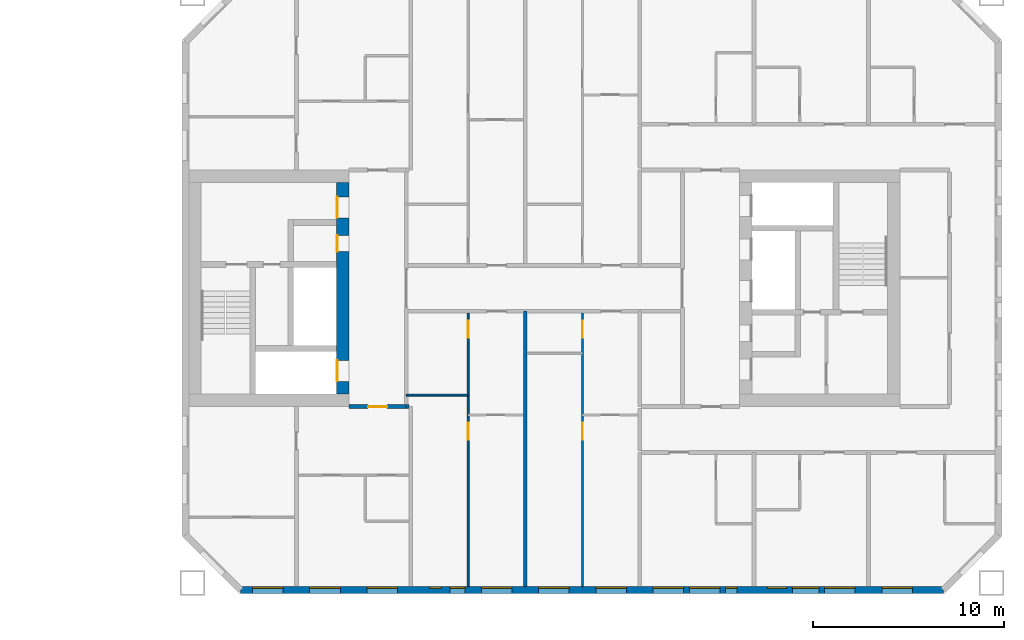
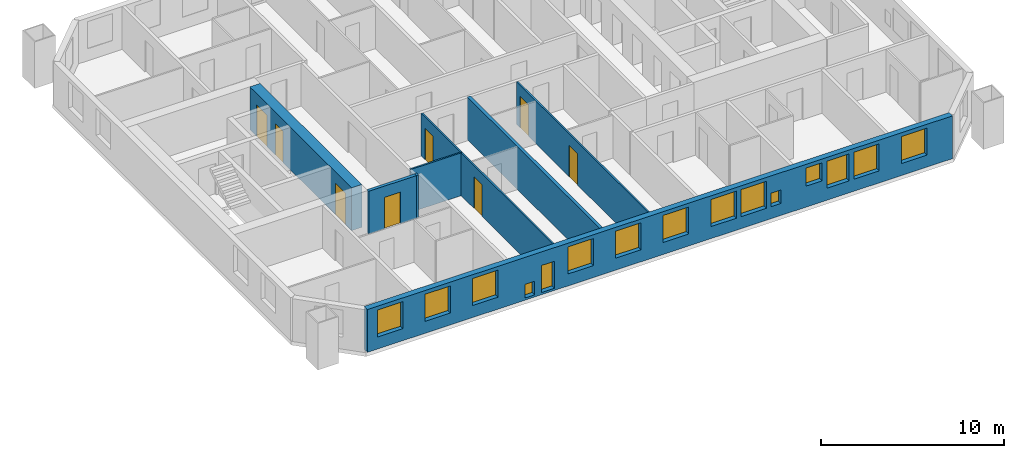
# One storey, part 10 of 17: 15 windows, 8 doors, 8 walls, 23 openings.
"""IFC4 building model written with IfcOpenShell, lengths in metres."""

import ifcopenshell
import ifcopenshell.guid

model = None  # the IFC model being written
_history = None  # IfcOwnerHistory: only IFC2X3 demands one
_inside = {}  # id of a spatial element -> (the spatial element, [elements in it])
_under = {}  # id of a project, library or spatial element -> (it, [spatial elements below it])
_declared = {}  # id of a project -> (the project, [libraries it declares])
_typed = {}  # id of a type object -> (the type object, [elements of that type])
_made_of = {}  # id of a material, layer set ... -> (it, [elements and type objects made of it])


def new_model(schema):
    """Start an empty IFC model of exactly this schema.

    Asked for "IFC4X3", IfcOpenShell would pick the latest addendum, in which some entities
    have other attributes; the version numbers below select the first issue.
    IFC2X3 requires an IfcOwnerHistory on every rooted entity: one is made here for all.
    """
    global model, _history
    if schema == "IFC4X3":
        model = ifcopenshell.file(schema_version=(4, 3, 0, 0))
    else:
        model = ifcopenshell.file(schema=schema)
    _inside.clear()
    _under.clear()
    _declared.clear()
    _typed.clear()
    _made_of.clear()
    _history = None
    if model.schema == "IFC2X3":
        org = make("IfcOrganization", Name="unknown")
        user = make(
            "IfcPersonAndOrganization",
            ThePerson=make("IfcPerson", FamilyName="unknown"),
            TheOrganization=org,
        )
        app = make(
            "IfcApplication",
            ApplicationDeveloper=org,
            Version="unknown",
            ApplicationFullName="unknown",
            ApplicationIdentifier="unknown",
        )
        _history = make(
            "IfcOwnerHistory",
            OwningUser=user,
            OwningApplication=app,
            ChangeAction="ADDED",
            CreationDate=0,
        )
    return model


def make(cls, **values):
    """One entity of the class cls with the attributes given. An attribute that is None is left unset."""
    return model.create_entity(
        cls, **{name: value for name, value in values.items() if value is not None}
    )


def rooted(cls, **values):
    """An entity with a GlobalId (a new one), such as an element, a storey or a relation."""
    return make(cls, GlobalId=ifcopenshell.guid.new(), OwnerHistory=_history, **values)


def si_unit(unit_type, name, prefix=None):
    """IfcSIUnit, for example si_unit("LENGTHUNIT", "METRE", prefix="MILLI")."""
    return make("IfcSIUnit", UnitType=unit_type, Prefix=prefix, Name=name)


def assignment(units):
    """IfcUnitAssignment: the units of a project."""
    return None if units is None else make("IfcUnitAssignment", Units=units)


def point(xyz):
    """IfcCartesianPoint."""
    return None if xyz is None else make("IfcCartesianPoint", Coordinates=xyz)


def direction(xyz):
    """IfcDirection."""
    return None if xyz is None else make("IfcDirection", DirectionRatios=xyz)


def frame(location, z_axis=None, x_axis=None):
    """IfcAxis2Placement3D, a coordinate frame: its origin and axes. An axis left out is left unset."""
    return make(
        "IfcAxis2Placement3D",
        Location=point(location),
        Axis=direction(z_axis),
        RefDirection=direction(x_axis),
    )


def frame_2d(location, x_axis=None):
    """IfcAxis2Placement2D, a coordinate frame in the plane: its origin and x axis."""
    return make(
        "IfcAxis2Placement2D", Location=point(location), RefDirection=direction(x_axis)
    )


def origin():
    """The frame at (0, 0, 0) with its axes left unset."""
    return frame((0.0, 0.0, 0.0))


def place(relative_to, where):
    """IfcLocalPlacement: puts the frame where relative to a parent placement (None: the world)."""
    return make(
        "IfcLocalPlacement", PlacementRelTo=relative_to, RelativePlacement=where
    )


def context(
    kind, dimensions, precision=None, world=None, true_north=None, identifier=None
):
    """IfcGeometricRepresentationContext, for example the 3D "Model" context."""
    return make(
        "IfcGeometricRepresentationContext",
        ContextIdentifier=identifier,
        ContextType=kind,
        CoordinateSpaceDimension=dimensions,
        Precision=precision,
        WorldCoordinateSystem=world,
        TrueNorth=true_north,
    )


def subcontext(parent, identifier, kind, view, scale=None):
    """IfcGeometricRepresentationSubContext, for example "Body" below "Model"."""
    return make(
        "IfcGeometricRepresentationSubContext",
        ContextIdentifier=identifier,
        ContextType=kind,
        ParentContext=parent,
        TargetScale=scale,
        TargetView=view,
    )


def project(units=None, contexts=None):
    """IfcProject with its units and contexts."""
    return rooted(
        "IfcProject",
        Name="project",
        RepresentationContexts=contexts,
        UnitsInContext=assignment(units),
    )


def spatial(cls, under=None, at=None, **own):
    """A site, building, storey or space (cls), placed at a placement, below another one or the project."""
    s = rooted(cls, ObjectPlacement=at, **own)
    if under is not None:
        _under.setdefault(under.id(), (under, []))[1].append(s)
    return s


def profile(cls, at=None, kind="AREA", **sizes):
    """A parametric profile (cls). Its sizes go by their IFC names, for example OverallWidth=200.0."""
    return make(cls, ProfileType=kind, Position=at, **sizes)


def rectangle(**sizes):
    """IfcRectangleProfileDef."""
    return profile("IfcRectangleProfileDef", **sizes)


def extrude(swept, where, along, depth):
    """IfcExtrudedAreaSolid: the profile swept, set in the frame where, extruded along a direction by depth."""
    return make(
        "IfcExtrudedAreaSolid",
        SweptArea=swept,
        Position=where,
        ExtrudedDirection=direction(along),
        Depth=depth,
    )


def shape(context_of_items, identifier, shape_type, items):
    """IfcShapeRepresentation: the items that make up one representation, for example the "Body"."""
    return make(
        "IfcShapeRepresentation",
        ContextOfItems=context_of_items,
        RepresentationIdentifier=identifier,
        RepresentationType=shape_type,
        Items=items,
    )


def material(Name=None, Category=None):
    """IfcMaterial."""
    return make("IfcMaterial", Name=Name, Category=Category)


def layer(
    of_material, thickness, ventilated=None, Name=None, Category=None, Priority=None
):
    """IfcMaterialLayer: one layer of a wall or slab, of a material (None: an air gap)."""
    return make(
        "IfcMaterialLayer",
        Material=of_material,
        LayerThickness=thickness,
        IsVentilated=ventilated,
        Name=Name,
        Category=Category,
        Priority=Priority,
    )


def layer_set(layers, Name=None):
    """IfcMaterialLayerSet."""
    return make("IfcMaterialLayerSet", MaterialLayers=layers, LayerSetName=Name)


def made_of(thing, what):
    """Note that an element or type object is made of a material, layer set ...; save() writes the relation."""
    if what is not None:
        _made_of.setdefault(what.id(), (what, []))[1].append(thing)
    return thing


def type_object(cls, material=None, **own):
    """A type object (cls), such as IfcWallType, which elements share."""
    return made_of(rooted(cls, **own), material)


def element(
    cls,
    number,
    at=None,
    inside=None,
    cuts=None,
    type_object=None,
    material=None,
    context=None,
    identifier="Body",
    shape_type=None,
    held_by="IfcProductDefinitionShape",
    body=None,
    shapes=None,
    **own,
):
    """One element of the class cls, such as IfcWall. Its Tag is "e" and its number.

    at: its placement. inside: the storey or other place that contains it. cuts: it is an
    opening in that element (IfcRelVoidsElement). A single representation is given by context,
    identifier, shape_type and body (its items); several are given by shapes. held_by: the class
    of the entity that holds the representations. save() writes the other relations.
    """
    e = rooted(cls, Tag="e%d" % number, ObjectPlacement=at, **own)
    if body is not None:
        shapes = [shape(context, identifier, shape_type, body)]
    if shapes is not None:
        e.Representation = make(held_by, Representations=shapes)
    if inside is not None:
        _inside.setdefault(inside.id(), (inside, []))[1].append(e)
    if cuts is not None:
        rooted(
            "IfcRelVoidsElement", RelatingBuildingElement=cuts, RelatedOpeningElement=e
        )
    if type_object is not None:
        _typed.setdefault(type_object.id(), (type_object, []))[1].append(e)
    return made_of(e, material)


def fill(opening, filler):
    """IfcRelFillsElement: the door or window that sits in an opening."""
    return rooted(
        "IfcRelFillsElement",
        RelatingOpeningElement=opening,
        RelatedBuildingElement=filler,
    )


def aggregate(whole, parts):
    """IfcRelAggregates: a whole, such as a stair, and the parts it consists of."""
    return rooted("IfcRelAggregates", RelatingObject=whole, RelatedObjects=parts)


def save(model, path):
    """Write the relations noted so far, then the file.

    IfcRelAggregates (storeys below a building ...), IfcRelContainedInSpatialStructure (elements
    in a storey), IfcRelDefinesByType, IfcRelAssociatesMaterial and IfcRelDeclares: one each for
    every whole, place, type object, material and project.
    """
    for whole, parts in _under.values():
        aggregate(whole, parts)
    for where, things in _inside.values():
        rooted(
            "IfcRelContainedInSpatialStructure",
            RelatedElements=things,
            RelatingStructure=where,
        )
    for kind, things in _typed.values():
        rooted("IfcRelDefinesByType", RelatedObjects=things, RelatingType=kind)
    for what, things in _made_of.values():
        rooted("IfcRelAssociatesMaterial", RelatedObjects=things, RelatingMaterial=what)
    for by, libraries in _declared.values():
        rooted("IfcRelDeclares", RelatingContext=by, RelatedDefinitions=libraries)
    model.write(path)


model = new_model("IFC4")

# Units and contexts
model_context = context("Model", 3, precision=1e-05, world=origin(), true_north=direction((0.0, 1.0)))
body_context = subcontext(model_context, "Body", "Model", "MODEL_VIEW")
ifc_project = project(units=[si_unit("LENGTHUNIT", "METRE"), si_unit("AREAUNIT", "SQUARE_METRE"), si_unit("VOLUMEUNIT", "CUBIC_METRE"), si_unit("PLANEANGLEUNIT", "RADIAN"), si_unit("MASSUNIT", "GRAM", prefix="KILO")], contexts=[model_context])

# Site, building, storey
site_placement = place(None, origin())
site = spatial("IfcSite", under=ifc_project, at=site_placement, CompositionType="ELEMENT")
building_placement = place(site_placement, origin())
building = spatial("IfcBuilding", under=site, at=building_placement, Name="Tuart Gate Housing", CompositionType="ELEMENT")
storey_placement = place(building_placement, frame((0.0, 0.0, 105.699951171875)))
storey = spatial("IfcBuildingStorey", under=building, at=storey_placement, Name="L29", CompositionType="ELEMENT", Elevation=105.699951171875)

# Wall, openings, windows
ifc_material_1 = material(Name="Brick", Category="masonry")
ifc_layer_1 = layer(ifc_material_1, 0.360107421875)
ifc_layer_set_1 = layer_set([ifc_layer_1], Name="Brick pier and spandrel wall 360")
wall_type_1 = type_object("IfcWallType", Name="Brick pier and spandrel wall 360", PredefinedType="STANDARD", material=ifc_layer_set_1)
wall_1_placement = place(storey_placement, frame((134.07470703125, 54.179931640625, 0.0), z_axis=(0.0, 0.0, 1.0), x_axis=(1.0, 0.0, 0.0)))
wall_1 = element("IfcWall", 1, at=wall_1_placement, inside=storey, type_object=wall_type_1, Name="External wall B-S L29", PredefinedType="STANDARD", context=body_context, shape_type="SweptSolid", body=[
    extrude(rectangle(XDim=36.850830078125, YDim=0.360107421875, at=frame_2d((18.42529296875, 0.0))), origin(), (0.0, 0.0, 1.0), 2.85009765625),
])
opening_1_placement = place(wall_1_placement, frame((0.62548828125, 0.0, 0.800048828125)))
opening_1 = element("IfcOpeningElement", 2, at=opening_1_placement, cuts=wall_1, Name="Opening W1", PredefinedType="OPENING", context=body_context, shape_type="SweptSolid", body=[
    extrude(rectangle(XDim=1.60009765625, YDim=1.800048828125, at=frame_2d((0.800048828125, 0.89990234375))), frame((0.0, 0.18994140625, 0.0), z_axis=(0.0, -1.0, 0.0), x_axis=(1.0, 0.0, 0.0)), (0.0, 0.0, 1.0), 0.380126953125),
])
opening_2_placement = place(wall_1_placement, frame((3.62548828125, 0.0, 0.800048828125)))
opening_2 = element("IfcOpeningElement", 3, at=opening_2_placement, cuts=wall_1, Name="Opening W1", PredefinedType="OPENING", context=body_context, shape_type="SweptSolid", body=[
    extrude(rectangle(XDim=1.60009765625, YDim=1.800048828125, at=frame_2d((0.800048828125, 0.89990234375))), frame((0.0, 0.18994140625, 0.0), z_axis=(0.0, -1.0, 0.0), x_axis=(1.0, 0.0, 0.0)), (0.0, 0.0, 1.0), 0.380126953125),
])
opening_3_placement = place(wall_1_placement, frame((6.62548828125, 0.0, 0.800048828125)))
opening_3 = element("IfcOpeningElement", 4, at=opening_3_placement, cuts=wall_1, Name="Opening W1", PredefinedType="OPENING", context=body_context, shape_type="SweptSolid", body=[
    extrude(rectangle(XDim=1.60009765625, YDim=1.800048828125, at=frame_2d((0.800048828125, 0.89990234375))), frame((0.0, 0.18994140625, 0.0), z_axis=(0.0, -1.0, 0.0), x_axis=(1.0, 0.0, 0.0)), (0.0, 0.0, 1.0), 0.380126953125),
])
opening_4_placement = place(wall_1_placement, frame((9.92529296875, 0.0, 0.14990234375)))
opening_4 = element("IfcOpeningElement", 5, at=opening_4_placement, cuts=wall_1, Name="Opening W1W", PredefinedType="OPENING", context=body_context, shape_type="SweptSolid", body=[
    extrude(rectangle(XDim=0.60009765625, YDim=0.89990234375, at=frame_2d((0.300048828125, 0.449951171875))), frame((0.0, 0.18994140625, 0.0), z_axis=(0.0, -1.0, 0.0), x_axis=(1.0, 0.0, 0.0)), (0.0, 0.0, 1.0), 0.380126953125),
])
opening_5_placement = place(wall_1_placement, frame((12.62548828125, 0.0, 0.800048828125)))
opening_5 = element("IfcOpeningElement", 6, at=opening_5_placement, cuts=wall_1, Name="Opening W1", PredefinedType="OPENING", context=body_context, shape_type="SweptSolid", body=[
    extrude(rectangle(XDim=1.60009765625, YDim=1.800048828125, at=frame_2d((0.800048828125, 0.89990234375))), frame((0.0, 0.18994140625, 0.0), z_axis=(0.0, -1.0, 0.0), x_axis=(1.0, 0.0, 0.0)), (0.0, 0.0, 1.0), 0.380126953125),
])
opening_6_placement = place(wall_1_placement, frame((15.62548828125, 0.0, 0.800048828125)))
opening_6 = element("IfcOpeningElement", 7, at=opening_6_placement, cuts=wall_1, Name="Opening W1", PredefinedType="OPENING", context=body_context, shape_type="SweptSolid", body=[
    extrude(rectangle(XDim=1.60009765625, YDim=1.800048828125, at=frame_2d((0.800048828125, 0.89990234375))), frame((0.0, 0.18994140625, 0.0), z_axis=(0.0, -1.0, 0.0), x_axis=(1.0, 0.0, 0.0)), (0.0, 0.0, 1.0), 0.380126953125),
])
opening_7_placement = place(wall_1_placement, frame((18.62548828125, 0.0, 0.800048828125)))
opening_7 = element("IfcOpeningElement", 8, at=opening_7_placement, cuts=wall_1, Name="Opening W1", PredefinedType="OPENING", context=body_context, shape_type="SweptSolid", body=[
    extrude(rectangle(XDim=1.60009765625, YDim=1.800048828125, at=frame_2d((0.800048828125, 0.89990234375))), frame((0.0, 0.18994140625, 0.0), z_axis=(0.0, -1.0, 0.0), x_axis=(1.0, 0.0, 0.0)), (0.0, 0.0, 1.0), 0.380126953125),
])
opening_8_placement = place(wall_1_placement, frame((21.62548828125, 0.0, 0.800048828125)))
opening_8 = element("IfcOpeningElement", 9, at=opening_8_placement, cuts=wall_1, Name="Opening W1", PredefinedType="OPENING", context=body_context, shape_type="SweptSolid", body=[
    extrude(rectangle(XDim=1.60009765625, YDim=1.800048828125, at=frame_2d((0.800048828125, 0.89990234375))), frame((0.0, 0.18994140625, 0.0), z_axis=(0.0, -1.0, 0.0), x_axis=(1.0, 0.0, 0.0)), (0.0, 0.0, 1.0), 0.380126953125),
])
opening_9_placement = place(wall_1_placement, frame((23.525390625, 0.0, 0.800048828125)))
opening_9 = element("IfcOpeningElement", 10, at=opening_9_placement, cuts=wall_1, Name="Opening W1", PredefinedType="OPENING", context=body_context, shape_type="SweptSolid", body=[
    extrude(rectangle(XDim=1.60009765625, YDim=1.800048828125, at=frame_2d((0.800048828125, 0.89990234375))), frame((0.0, 0.18994140625, 0.0), z_axis=(0.0, -1.0, 0.0), x_axis=(1.0, 0.0, 0.0)), (0.0, 0.0, 1.0), 0.380126953125),
])
opening_10_placement = place(wall_1_placement, frame((27.62548828125, 0.0, 1.39990234375)))
opening_10 = element("IfcOpeningElement", 11, at=opening_10_placement, cuts=wall_1, Name="Opening W1O", PredefinedType="OPENING", context=body_context, shape_type="SweptSolid", body=[
    extrude(rectangle(XDim=1.0, YDim=1.199951171875, at=frame_2d((0.5, 0.60009765625))), frame((0.0, 0.18994140625, 0.0), z_axis=(0.0, -1.0, 0.0), x_axis=(1.0, 0.0, 0.0)), (0.0, 0.0, 1.0), 0.380126953125),
])
opening_11_placement = place(wall_1_placement, frame((30.62548828125, 0.0, 0.800048828125)))
opening_11 = element("IfcOpeningElement", 12, at=opening_11_placement, cuts=wall_1, Name="Opening W1", PredefinedType="OPENING", context=body_context, shape_type="SweptSolid", body=[
    extrude(rectangle(XDim=1.60009765625, YDim=1.800048828125, at=frame_2d((0.800048828125, 0.89990234375))), frame((0.0, 0.18994140625, 0.0), z_axis=(0.0, -1.0, 0.0), x_axis=(1.0, 0.0, 0.0)), (0.0, 0.0, 1.0), 0.380126953125),
])
opening_12_placement = place(wall_1_placement, frame((33.62548828125, 0.0, 0.800048828125)))
opening_12 = element("IfcOpeningElement", 13, at=opening_12_placement, cuts=wall_1, Name="Opening W1", PredefinedType="OPENING", context=body_context, shape_type="SweptSolid", body=[
    extrude(rectangle(XDim=1.60009765625, YDim=1.800048828125, at=frame_2d((0.800048828125, 0.89990234375))), frame((0.0, 0.18994140625, 0.0), z_axis=(0.0, -1.0, 0.0), x_axis=(1.0, 0.0, 0.0)), (0.0, 0.0, 1.0), 0.380126953125),
])
opening_13_placement = place(wall_1_placement, frame((10.975341796875, 0.0, 0.14990234375)))
opening_13 = element("IfcOpeningElement", 14, at=opening_13_placement, cuts=wall_1, Name="Opening W1D", PredefinedType="OPENING", context=body_context, shape_type="SweptSolid", body=[
    extrude(rectangle(XDim=0.800048828125, YDim=1.800048828125, at=frame_2d((0.39990234375, 0.89990234375))), frame((0.0, 0.18994140625, 0.0), z_axis=(0.0, -1.0, 0.0), x_axis=(1.0, 0.0, 0.0)), (0.0, 0.0, 1.0), 0.380126953125),
])
opening_14_placement = place(wall_1_placement, frame((25.42529296875, 0.0, 0.800048828125)))
opening_14 = element("IfcOpeningElement", 15, at=opening_14_placement, cuts=wall_1, Name="Opening W1W", PredefinedType="OPENING", context=body_context, shape_type="SweptSolid", body=[
    extrude(rectangle(XDim=0.60009765625, YDim=0.89990234375, at=frame_2d((0.300048828125, 0.449951171875))), frame((0.0, 0.18994140625, 0.0), z_axis=(0.0, -1.0, 0.0), x_axis=(1.0, 0.0, 0.0)), (0.0, 0.0, 1.0), 0.380126953125),
])
opening_15_placement = place(wall_1_placement, frame((28.92529296875, 0.0, 0.800048828125)))
opening_15 = element("IfcOpeningElement", 16, at=opening_15_placement, cuts=wall_1, Name="Opening W1A", PredefinedType="OPENING", context=body_context, shape_type="SweptSolid", body=[
    extrude(rectangle(XDim=1.39990234375, YDim=1.800048828125, at=frame_2d((0.699951171875, 0.89990234375))), frame((0.0, 0.18994140625, 0.0), z_axis=(0.0, -1.0, 0.0), x_axis=(1.0, 0.0, 0.0)), (0.0, 0.0, 1.0), 0.380126953125),
])
ifc_material_2 = material(Name="Aluminium frame with clear glass", Category="aluminium")
window_type_1 = type_object("IfcWindowType", Name="Punched window 1000 x 1200", PartitioningType="SINGLE_PANEL", PredefinedType="WINDOW", material=ifc_material_2)
window_1_placement = place(opening_10_placement, origin())
window_1 = element("IfcWindow", 17, at=window_1_placement, inside=storey, type_object=window_type_1, Name="Window W1O", OverallHeight=1.199951171875, OverallWidth=1.0, PartitioningType="SINGLE_PANEL", PredefinedType="WINDOW", context=body_context, shape_type="SweptSolid", body=[
    extrude(rectangle(XDim=1.0, YDim=1.199951171875, at=frame_2d((0.5, 0.60009765625))), frame((0.0, 0.150146484375, 0.0), z_axis=(0.0, -1.0, 0.0), x_axis=(1.0, 0.0, 0.0)), (0.0, 0.0, 1.0), 0.06005859375),
])
fill(opening_10, window_1)
ifc_material_3 = material(Name="Aluminium frame with clear glass", Category="aluminium")
window_type_2 = type_object("IfcWindowType", Name="Punched window 1400 x 1800", PartitioningType="SINGLE_PANEL", PredefinedType="WINDOW", material=ifc_material_3)
window_2_placement = place(opening_15_placement, origin())
window_2 = element("IfcWindow", 18, at=window_2_placement, inside=storey, type_object=window_type_2, Name="Window W1A", OverallHeight=1.800048828125, OverallWidth=1.39990234375, PartitioningType="SINGLE_PANEL", PredefinedType="WINDOW", context=body_context, shape_type="SweptSolid", body=[
    extrude(rectangle(XDim=1.39990234375, YDim=1.800048828125, at=frame_2d((0.699951171875, 0.89990234375))), frame((0.0, 0.150146484375, 0.0), z_axis=(0.0, -1.0, 0.0), x_axis=(1.0, 0.0, 0.0)), (0.0, 0.0, 1.0), 0.06005859375),
])
fill(opening_15, window_2)
ifc_material_4 = material(Name="Aluminium frame with clear glass", Category="aluminium")
window_type_3 = type_object("IfcWindowType", Name="Punched window 1600 x 1800", PartitioningType="SINGLE_PANEL", PredefinedType="WINDOW", material=ifc_material_4)
window_3_placement = place(opening_1_placement, origin())
window_3 = element("IfcWindow", 19, at=window_3_placement, inside=storey, type_object=window_type_3, Name="Window W1", OverallHeight=1.800048828125, OverallWidth=1.60009765625, PartitioningType="SINGLE_PANEL", PredefinedType="WINDOW", context=body_context, shape_type="SweptSolid", body=[
    extrude(rectangle(XDim=1.60009765625, YDim=1.800048828125, at=frame_2d((0.800048828125, 0.89990234375))), frame((0.0, 0.150146484375, 0.0), z_axis=(0.0, -1.0, 0.0), x_axis=(1.0, 0.0, 0.0)), (0.0, 0.0, 1.0), 0.06005859375),
])
fill(opening_1, window_3)
window_4_placement = place(opening_2_placement, origin())
window_4 = element("IfcWindow", 20, at=window_4_placement, inside=storey, type_object=window_type_3, Name="Window W1", OverallHeight=1.800048828125, OverallWidth=1.60009765625, PartitioningType="SINGLE_PANEL", PredefinedType="WINDOW", context=body_context, shape_type="SweptSolid", body=[
    extrude(rectangle(XDim=1.60009765625, YDim=1.800048828125, at=frame_2d((0.800048828125, 0.89990234375))), frame((0.0, 0.150146484375, 0.0), z_axis=(0.0, -1.0, 0.0), x_axis=(1.0, 0.0, 0.0)), (0.0, 0.0, 1.0), 0.06005859375),
])
fill(opening_2, window_4)
window_5_placement = place(opening_3_placement, origin())
window_5 = element("IfcWindow", 21, at=window_5_placement, inside=storey, type_object=window_type_3, Name="Window W1", OverallHeight=1.800048828125, OverallWidth=1.60009765625, PartitioningType="SINGLE_PANEL", PredefinedType="WINDOW", context=body_context, shape_type="SweptSolid", body=[
    extrude(rectangle(XDim=1.60009765625, YDim=1.800048828125, at=frame_2d((0.800048828125, 0.89990234375))), frame((0.0, 0.150146484375, 0.0), z_axis=(0.0, -1.0, 0.0), x_axis=(1.0, 0.0, 0.0)), (0.0, 0.0, 1.0), 0.06005859375),
])
fill(opening_3, window_5)
window_6_placement = place(opening_5_placement, origin())
window_6 = element("IfcWindow", 22, at=window_6_placement, inside=storey, type_object=window_type_3, Name="Window W1", OverallHeight=1.800048828125, OverallWidth=1.60009765625, PartitioningType="SINGLE_PANEL", PredefinedType="WINDOW", context=body_context, shape_type="SweptSolid", body=[
    extrude(rectangle(XDim=1.60009765625, YDim=1.800048828125, at=frame_2d((0.800048828125, 0.89990234375))), frame((0.0, 0.150146484375, 0.0), z_axis=(0.0, -1.0, 0.0), x_axis=(1.0, 0.0, 0.0)), (0.0, 0.0, 1.0), 0.06005859375),
])
fill(opening_5, window_6)
window_7_placement = place(opening_6_placement, origin())
window_7 = element("IfcWindow", 23, at=window_7_placement, inside=storey, type_object=window_type_3, Name="Window W1", OverallHeight=1.800048828125, OverallWidth=1.60009765625, PartitioningType="SINGLE_PANEL", PredefinedType="WINDOW", context=body_context, shape_type="SweptSolid", body=[
    extrude(rectangle(XDim=1.60009765625, YDim=1.800048828125, at=frame_2d((0.800048828125, 0.89990234375))), frame((0.0, 0.150146484375, 0.0), z_axis=(0.0, -1.0, 0.0), x_axis=(1.0, 0.0, 0.0)), (0.0, 0.0, 1.0), 0.06005859375),
])
fill(opening_6, window_7)
window_8_placement = place(opening_7_placement, origin())
window_8 = element("IfcWindow", 24, at=window_8_placement, inside=storey, type_object=window_type_3, Name="Window W1", OverallHeight=1.800048828125, OverallWidth=1.60009765625, PartitioningType="SINGLE_PANEL", PredefinedType="WINDOW", context=body_context, shape_type="SweptSolid", body=[
    extrude(rectangle(XDim=1.60009765625, YDim=1.800048828125, at=frame_2d((0.800048828125, 0.89990234375))), frame((0.0, 0.150146484375, 0.0), z_axis=(0.0, -1.0, 0.0), x_axis=(1.0, 0.0, 0.0)), (0.0, 0.0, 1.0), 0.06005859375),
])
fill(opening_7, window_8)
window_9_placement = place(opening_8_placement, origin())
window_9 = element("IfcWindow", 25, at=window_9_placement, inside=storey, type_object=window_type_3, Name="Window W1", OverallHeight=1.800048828125, OverallWidth=1.60009765625, PartitioningType="SINGLE_PANEL", PredefinedType="WINDOW", context=body_context, shape_type="SweptSolid", body=[
    extrude(rectangle(XDim=1.60009765625, YDim=1.800048828125, at=frame_2d((0.800048828125, 0.89990234375))), frame((0.0, 0.150146484375, 0.0), z_axis=(0.0, -1.0, 0.0), x_axis=(1.0, 0.0, 0.0)), (0.0, 0.0, 1.0), 0.06005859375),
])
fill(opening_8, window_9)
window_10_placement = place(opening_9_placement, origin())
window_10 = element("IfcWindow", 26, at=window_10_placement, inside=storey, type_object=window_type_3, Name="Window W1", OverallHeight=1.800048828125, OverallWidth=1.60009765625, PartitioningType="SINGLE_PANEL", PredefinedType="WINDOW", context=body_context, shape_type="SweptSolid", body=[
    extrude(rectangle(XDim=1.60009765625, YDim=1.800048828125, at=frame_2d((0.800048828125, 0.89990234375))), frame((0.0, 0.150146484375, 0.0), z_axis=(0.0, -1.0, 0.0), x_axis=(1.0, 0.0, 0.0)), (0.0, 0.0, 1.0), 0.06005859375),
])
fill(opening_9, window_10)
window_11_placement = place(opening_11_placement, origin())
window_11 = element("IfcWindow", 27, at=window_11_placement, inside=storey, type_object=window_type_3, Name="Window W1", OverallHeight=1.800048828125, OverallWidth=1.60009765625, PartitioningType="SINGLE_PANEL", PredefinedType="WINDOW", context=body_context, shape_type="SweptSolid", body=[
    extrude(rectangle(XDim=1.60009765625, YDim=1.800048828125, at=frame_2d((0.800048828125, 0.89990234375))), frame((0.0, 0.150146484375, 0.0), z_axis=(0.0, -1.0, 0.0), x_axis=(1.0, 0.0, 0.0)), (0.0, 0.0, 1.0), 0.06005859375),
])
fill(opening_11, window_11)
window_12_placement = place(opening_12_placement, origin())
window_12 = element("IfcWindow", 28, at=window_12_placement, inside=storey, type_object=window_type_3, Name="Window W1", OverallHeight=1.800048828125, OverallWidth=1.60009765625, PartitioningType="SINGLE_PANEL", PredefinedType="WINDOW", context=body_context, shape_type="SweptSolid", body=[
    extrude(rectangle(XDim=1.60009765625, YDim=1.800048828125, at=frame_2d((0.800048828125, 0.89990234375))), frame((0.0, 0.150146484375, 0.0), z_axis=(0.0, -1.0, 0.0), x_axis=(1.0, 0.0, 0.0)), (0.0, 0.0, 1.0), 0.06005859375),
])
fill(opening_12, window_12)
ifc_material_5 = material(Name="Aluminium frame with clear glass", Category="aluminium")
window_type_4 = type_object("IfcWindowType", Name="Punched window 600 x 900", PartitioningType="SINGLE_PANEL", PredefinedType="WINDOW", material=ifc_material_5)
window_13_placement = place(opening_4_placement, origin())
window_13 = element("IfcWindow", 29, at=window_13_placement, inside=storey, type_object=window_type_4, Name="Window W1W", OverallHeight=0.89990234375, OverallWidth=0.60009765625, PartitioningType="SINGLE_PANEL", PredefinedType="WINDOW", context=body_context, shape_type="SweptSolid", body=[
    extrude(rectangle(XDim=0.60009765625, YDim=0.89990234375, at=frame_2d((0.300048828125, 0.449951171875))), frame((0.0, 0.150146484375, 0.0), z_axis=(0.0, -1.0, 0.0), x_axis=(1.0, 0.0, 0.0)), (0.0, 0.0, 1.0), 0.06005859375),
])
fill(opening_4, window_13)
window_14_placement = place(opening_14_placement, origin())
window_14 = element("IfcWindow", 30, at=window_14_placement, inside=storey, type_object=window_type_4, Name="Window W1W", OverallHeight=0.89990234375, OverallWidth=0.60009765625, PartitioningType="SINGLE_PANEL", PredefinedType="WINDOW", context=body_context, shape_type="SweptSolid", body=[
    extrude(rectangle(XDim=0.60009765625, YDim=0.89990234375, at=frame_2d((0.300048828125, 0.449951171875))), frame((0.0, 0.150146484375, 0.0), z_axis=(0.0, -1.0, 0.0), x_axis=(1.0, 0.0, 0.0)), (0.0, 0.0, 1.0), 0.06005859375),
])
fill(opening_14, window_14)
ifc_material_6 = material(Name="Aluminium frame with clear glass", Category="aluminium")
window_type_5 = type_object("IfcWindowType", Name="Punched window 800 x 1800", PartitioningType="SINGLE_PANEL", PredefinedType="WINDOW", material=ifc_material_6)
window_15_placement = place(opening_13_placement, origin())
window_15 = element("IfcWindow", 31, at=window_15_placement, inside=storey, type_object=window_type_5, Name="Window W1D", OverallHeight=1.800048828125, OverallWidth=0.800048828125, PartitioningType="SINGLE_PANEL", PredefinedType="WINDOW", context=body_context, shape_type="SweptSolid", body=[
    extrude(rectangle(XDim=0.800048828125, YDim=1.800048828125, at=frame_2d((0.39990234375, 0.89990234375))), frame((0.0, 0.150146484375, 0.0), z_axis=(0.0, -1.0, 0.0), x_axis=(1.0, 0.0, 0.0)), (0.0, 0.0, 1.0), 0.06005859375),
])
fill(opening_13, window_15)

# Wall, openings, doors
ifc_material_7 = material(Name="Concrete C50", Category="concrete")
ifc_layer_2 = layer(ifc_material_7, 0.64990234375)
ifc_layer_set_2 = layer_set([ifc_layer_2], Name="Core wall 650 C50")
wall_type_2 = type_object("IfcWallType", Name="Core wall 650 C50", PredefinedType="SHEAR", material=ifc_layer_set_2)
wall_2_placement = place(storey_placement, frame((139.43505859375, 64.449951171875, 0.0), z_axis=(0.0, 0.0, 1.0), x_axis=(0.0, 1.0, 0.0)))
wall_2 = element("IfcWall", 32, at=wall_2_placement, inside=storey, type_object=wall_type_2, Name="Core wall BG front", PredefinedType="SHEAR", context=body_context, shape_type="SweptSolid", body=[
    extrude(rectangle(XDim=11.10009765625, YDim=0.64990234375, at=frame_2d((5.550048828125, 0.0))), origin(), (0.0, 0.0, 1.0), 2.85009765625),
])
opening_16_placement = place(wall_2_placement, frame((0.675048828125, 0.0, 0.0)))
opening_16 = element("IfcOpeningElement", 33, at=opening_16_placement, cuts=wall_2, Name="Opening LD-FB1", PredefinedType="OPENING", context=body_context, shape_type="SweptSolid", body=[
    extrude(rectangle(XDim=1.10009765625, YDim=2.10009765625, at=frame_2d((0.550048828125, 1.050048828125))), frame((0.0, 0.3349609375, 0.0), z_axis=(0.0, -1.0, 0.0), x_axis=(1.0, 0.0, 0.0)), (0.0, 0.0, 1.0), 0.669921875),
])
opening_17_placement = place(wall_2_placement, frame((9.25, 0.0, 0.0)))
opening_17 = element("IfcOpeningElement", 34, at=opening_17_placement, cuts=wall_2, Name="Opening D1259", PredefinedType="OPENING", context=body_context, shape_type="SweptSolid", body=[
    extrude(rectangle(XDim=1.10009765625, YDim=2.10009765625, at=frame_2d((0.550048828125, 1.050048828125))), frame((0.0, 0.3349609375, 0.0), z_axis=(0.0, -1.0, 0.0), x_axis=(1.0, 0.0, 0.0)), (0.0, 0.0, 1.0), 0.669921875),
])
opening_18_placement = place(wall_2_placement, frame((7.47509765625, 0.0, 0.0)))
opening_18 = element("IfcOpeningElement", 35, at=opening_18_placement, cuts=wall_2, Name="Opening D1260", PredefinedType="OPENING", context=body_context, shape_type="SweptSolid", body=[
    extrude(rectangle(XDim=0.85009765625, YDim=2.10009765625, at=frame_2d((0.425048828125, 1.050048828125))), frame((0.0, 0.3349609375, 0.0), z_axis=(0.0, -1.0, 0.0), x_axis=(1.0, 0.0, 0.0)), (0.0, 0.0, 1.0), 0.669921875),
])
ifc_material_8 = material(Name="Stainless steel", Category="steel")
door_type_1 = type_object("IfcDoorType", Name="Landing door 1100 x 2100", OperationType="DOUBLE_DOOR_SLIDING", PredefinedType="DOOR", material=ifc_material_8)
door_1_placement = place(opening_16_placement, origin())
door_1 = element("IfcDoor", 36, at=door_1_placement, inside=storey, type_object=door_type_1, Name="Lift landing door FB1", OperationType="DOUBLE_DOOR_SLIDING", OverallHeight=2.10009765625, OverallWidth=1.10009765625, PredefinedType="DOOR", context=body_context, shape_type="SweptSolid", body=[
    extrude(rectangle(XDim=1.10009765625, YDim=2.10009765625, at=frame_2d((0.550048828125, 1.050048828125))), frame((0.0, 0.31005859375, 0.0), z_axis=(0.0, -1.0, 0.0), x_axis=(1.0, 0.0, 0.0)), (0.0, 0.0, 1.0), 0.050048828125),
])
fill(opening_16, door_1)
ifc_material_9 = material(Name="Steel fire door", Category="steel")
door_type_2 = type_object("IfcDoorType", Name="Lobby door 1100 x 2100", OperationType="SINGLE_SWING_LEFT", PredefinedType="DOOR", material=ifc_material_9)
door_2_placement = place(opening_17_placement, origin())
door_2 = element("IfcDoor", 37, at=door_2_placement, inside=storey, type_object=door_type_2, Name="Lobby entry door BG.EN", OperationType="SINGLE_SWING_LEFT", OverallHeight=2.10009765625, OverallWidth=1.10009765625, PredefinedType="DOOR", context=body_context, shape_type="SweptSolid", body=[
    extrude(rectangle(XDim=1.10009765625, YDim=2.10009765625, at=frame_2d((0.550048828125, 1.050048828125))), frame((0.0, 0.31005859375, 0.0), z_axis=(0.0, -1.0, 0.0), x_axis=(1.0, 0.0, 0.0)), (0.0, 0.0, 1.0), 0.050048828125),
])
fill(opening_17, door_2)
ifc_material_10 = material(Name="Steel fire door", Category="steel")
door_type_3 = type_object("IfcDoorType", Name="Service door 850 x 2100", OperationType="SINGLE_SWING_LEFT", PredefinedType="DOOR", material=ifc_material_10)
door_3_placement = place(opening_18_placement, origin())
door_3 = element("IfcDoor", 38, at=door_3_placement, inside=storey, type_object=door_type_3, Name="Service room door BG.T1", OperationType="SINGLE_SWING_LEFT", OverallHeight=2.10009765625, OverallWidth=0.85009765625, PredefinedType="DOOR", context=body_context, shape_type="SweptSolid", body=[
    extrude(rectangle(XDim=0.85009765625, YDim=2.10009765625, at=frame_2d((0.425048828125, 1.050048828125))), frame((0.0, 0.31005859375, 0.0), z_axis=(0.0, -1.0, 0.0), x_axis=(1.0, 0.0, 0.0)), (0.0, 0.0, 1.0), 0.050048828125),
])
fill(opening_18, door_3)

# Wall, opening, door
ifc_material_11 = material(Name="Concrete masonry 15 MPa", Category="masonry")
ifc_layer_3 = layer(ifc_material_11, 0.199951171875)
ifc_layer_set_3 = layer_set([ifc_layer_3], Name="Enclosure wall masonry 200")
wall_type_3 = type_object("IfcWallType", Name="Enclosure wall masonry 200", PredefinedType="PARTITIONING", material=ifc_layer_set_3)
wall_3_placement = place(storey_placement, frame((139.760009765625, 63.800048828125, 0.0), z_axis=(0.0, 0.0, 1.0), x_axis=(1.0, 0.0, 0.0)))
wall_3 = element("IfcWall", 39, at=wall_3_placement, inside=storey, type_object=wall_type_3, Name="Enclosure wall masonry 200", PredefinedType="PARTITIONING", context=body_context, shape_type="SweptSolid", body=[
    extrude(rectangle(XDim=3.0, YDim=0.199951171875, at=frame_2d((1.5, 0.0))), origin(), (0.0, 0.0, 1.0), 2.85009765625),
])
opening_19_placement = place(wall_3_placement, frame((1.0, 0.0, 0.0)))
opening_19 = element("IfcOpeningElement", 40, at=opening_19_placement, cuts=wall_3, Name="Opening D1272", PredefinedType="OPENING", context=body_context, shape_type="SweptSolid", body=[
    extrude(rectangle(XDim=1.0, YDim=2.10009765625, at=frame_2d((0.5, 1.050048828125))), frame((0.0, 0.10986328125, 0.0), z_axis=(0.0, -1.0, 0.0), x_axis=(1.0, 0.0, 0.0)), (0.0, 0.0, 1.0), 0.219970703125),
])
ifc_material_12 = material(Name="Timber door leaf in steel frame", Category="steel")
door_type_4 = type_object("IfcDoorType", Name="Flat entrance door 1000", OperationType="SINGLE_SWING_LEFT", PredefinedType="DOOR", material=ifc_material_12)
door_4_placement = place(opening_19_placement, frame((1.0, 0.0, 0.0), z_axis=(0.0, 0.0, 1.0), x_axis=(-1.0, 0.0, 0.0)))
door_4 = element("IfcDoor", 41, at=door_4_placement, inside=storey, type_object=door_type_4, Name="Flat entrance door", OperationType="SINGLE_SWING_LEFT", OverallHeight=2.10009765625, OverallWidth=1.0, PredefinedType="DOOR", context=body_context, shape_type="SweptSolid", body=[
    extrude(rectangle(XDim=1.0, YDim=2.10009765625, at=frame_2d((0.5, 1.050048828125))), frame((0.0, 0.025146484375, 0.0), z_axis=(0.0, -1.0, 0.0), x_axis=(1.0, 0.0, 0.0)), (0.0, 0.0, 1.0), 0.050048828125),
])
fill(opening_19, door_4)

# Wall
ifc_material_13 = material(Name="Gypsum board on steel studs", Category="steel")
ifc_layer_4 = layer(ifc_material_13, 0.10009765625)
ifc_layer_set_4 = layer_set([ifc_layer_4], Name="Partition 100")
wall_type_4 = type_object("IfcWallType", Name="Partition 100", PredefinedType="PARTITIONING", material=ifc_layer_set_4)
wall_4_placement = place(storey_placement, frame((142.760009765625, 64.39990234375, 0.0), z_axis=(0.0, 0.0, 1.0), x_axis=(1.0, 0.0, 0.0)))
element("IfcWall", 42, at=wall_4_placement, inside=storey, type_object=wall_type_4, Name="Partition 100", PredefinedType="PARTITIONING", context=body_context, shape_type="SweptSolid", body=[
    extrude(rectangle(XDim=3.239990234375, YDim=0.10009765625, at=frame_2d((1.6201171875, 0.0))), origin(), (0.0, 0.0, 1.0), 2.85009765625),
])

# Wall, openings, doors
wall_5_placement = place(storey_placement, frame((146.0, 54.360107421875, 0.0), z_axis=(0.0, 0.0, 1.0), x_axis=(0.0, 1.0, 0.0)))
wall_5 = element("IfcWall", 43, at=wall_5_placement, inside=storey, type_object=wall_type_4, Name="Partition 100", PredefinedType="PARTITIONING", context=body_context, shape_type="SweptSolid", body=[
    extrude(rectangle(XDim=14.33984375, YDim=0.10009765625, at=frame_2d((7.169921875, 0.0))), origin(), (0.0, 0.0, 1.0), 2.85009765625),
])
opening_20_placement = place(wall_5_placement, frame((7.699951171875, 0.0, 0.0)))
opening_20 = element("IfcOpeningElement", 44, at=opening_20_placement, cuts=wall_5, Name="Opening D1277", PredefinedType="OPENING", context=body_context, shape_type="SweptSolid", body=[
    extrude(rectangle(XDim=0.89990234375, YDim=2.10009765625, at=frame_2d((0.449951171875, 1.050048828125))), frame((0.0, 0.06005859375, 0.0), z_axis=(0.0, -1.0, 0.0), x_axis=(1.0, 0.0, 0.0)), (0.0, 0.0, 1.0), 0.1201171875),
])
opening_21_placement = place(wall_5_placement, frame((13.0400390625, 0.0, 0.0)))
opening_21 = element("IfcOpeningElement", 45, at=opening_21_placement, cuts=wall_5, Name="Opening D1276", PredefinedType="OPENING", context=body_context, shape_type="SweptSolid", body=[
    extrude(rectangle(XDim=0.89990234375, YDim=2.10009765625, at=frame_2d((0.449951171875, 1.050048828125))), frame((0.0, 0.06005859375, 0.0), z_axis=(0.0, -1.0, 0.0), x_axis=(1.0, 0.0, 0.0)), (0.0, 0.0, 1.0), 0.1201171875),
])
ifc_material_14 = material(Name="Timber door leaf in steel frame", Category="steel")
door_type_5 = type_object("IfcDoorType", Name="Bathroom door 900 RH", OperationType="SINGLE_SWING_RIGHT", PredefinedType="DOOR", material=ifc_material_14)
door_5_placement = place(opening_21_placement, origin())
door_5 = element("IfcDoor", 46, at=door_5_placement, inside=storey, type_object=door_type_5, Name="Bathroom door", OperationType="SINGLE_SWING_RIGHT", OverallHeight=2.10009765625, OverallWidth=0.89990234375, PredefinedType="DOOR", context=body_context, shape_type="SweptSolid", body=[
    extrude(rectangle(XDim=0.89990234375, YDim=2.10009765625, at=frame_2d((0.449951171875, 1.050048828125))), frame((0.0, 0.02490234375, 0.0), z_axis=(0.0, -1.0, 0.0), x_axis=(1.0, 0.0, 0.0)), (0.0, 0.0, 1.0), 0.050048828125),
])
fill(opening_21, door_5)
ifc_material_15 = material(Name="Timber door leaf in steel frame", Category="steel")
door_type_6 = type_object("IfcDoorType", Name="Internal door 900 RH", OperationType="SINGLE_SWING_RIGHT", PredefinedType="DOOR", material=ifc_material_15)
door_6_placement = place(opening_20_placement, origin())
door_6 = element("IfcDoor", 47, at=door_6_placement, inside=storey, type_object=door_type_6, Name="Internal door", OperationType="SINGLE_SWING_RIGHT", OverallHeight=2.10009765625, OverallWidth=0.89990234375, PredefinedType="DOOR", context=body_context, shape_type="SweptSolid", body=[
    extrude(rectangle(XDim=0.89990234375, YDim=2.10009765625, at=frame_2d((0.449951171875, 1.050048828125))), frame((0.0, 0.02490234375, 0.0), z_axis=(0.0, -1.0, 0.0), x_axis=(1.0, 0.0, 0.0)), (0.0, 0.0, 1.0), 0.050048828125),
])
fill(opening_20, door_6)

wall_6_placement = place(storey_placement, frame((152.0, 54.360107421875, 0.0), z_axis=(0.0, 0.0, 1.0), x_axis=(0.0, 1.0, 0.0)))
wall_6 = element("IfcWall", 48, at=wall_6_placement, inside=storey, type_object=wall_type_4, Name="Partition 100", PredefinedType="PARTITIONING", context=body_context, shape_type="SweptSolid", body=[
    extrude(rectangle(XDim=14.33984375, YDim=0.10009765625, at=frame_2d((7.169921875, 0.0))), origin(), (0.0, 0.0, 1.0), 2.85009765625),
])
opening_22_placement = place(wall_6_placement, frame((7.699951171875, 0.0, 0.0)))
opening_22 = element("IfcOpeningElement", 49, at=opening_22_placement, cuts=wall_6, Name="Opening D1279", PredefinedType="OPENING", context=body_context, shape_type="SweptSolid", body=[
    extrude(rectangle(XDim=0.89990234375, YDim=2.10009765625, at=frame_2d((0.449951171875, 1.050048828125))), frame((0.0, 0.06005859375, 0.0), z_axis=(0.0, -1.0, 0.0), x_axis=(1.0, 0.0, 0.0)), (0.0, 0.0, 1.0), 0.1201171875),
])
opening_23_placement = place(wall_6_placement, frame((13.0400390625, 0.0, 0.0)))
opening_23 = element("IfcOpeningElement", 50, at=opening_23_placement, cuts=wall_6, Name="Opening D1278", PredefinedType="OPENING", context=body_context, shape_type="SweptSolid", body=[
    extrude(rectangle(XDim=0.89990234375, YDim=2.10009765625, at=frame_2d((0.449951171875, 1.050048828125))), frame((0.0, 0.06005859375, 0.0), z_axis=(0.0, -1.0, 0.0), x_axis=(1.0, 0.0, 0.0)), (0.0, 0.0, 1.0), 0.1201171875),
])
door_7_placement = place(opening_23_placement, origin())
door_7 = element("IfcDoor", 51, at=door_7_placement, inside=storey, type_object=door_type_5, Name="Bathroom door", OperationType="SINGLE_SWING_RIGHT", OverallHeight=2.10009765625, OverallWidth=0.89990234375, PredefinedType="DOOR", context=body_context, shape_type="SweptSolid", body=[
    extrude(rectangle(XDim=0.89990234375, YDim=2.10009765625, at=frame_2d((0.449951171875, 1.050048828125))), frame((0.0, 0.02490234375, 0.0), z_axis=(0.0, -1.0, 0.0), x_axis=(1.0, 0.0, 0.0)), (0.0, 0.0, 1.0), 0.050048828125),
])
fill(opening_23, door_7)
door_8_placement = place(opening_22_placement, origin())
door_8 = element("IfcDoor", 52, at=door_8_placement, inside=storey, type_object=door_type_6, Name="Internal door", OperationType="SINGLE_SWING_RIGHT", OverallHeight=2.10009765625, OverallWidth=0.89990234375, PredefinedType="DOOR", context=body_context, shape_type="SweptSolid", body=[
    extrude(rectangle(XDim=0.89990234375, YDim=2.10009765625, at=frame_2d((0.449951171875, 1.050048828125))), frame((0.0, 0.02490234375, 0.0), z_axis=(0.0, -1.0, 0.0), x_axis=(1.0, 0.0, 0.0)), (0.0, 0.0, 1.0), 0.050048828125),
])
fill(opening_22, door_8)

# Walls
ifc_material_16 = material(Name="Concrete C40", Category="concrete")
ifc_layer_5 = layer(ifc_material_16, 0.199951171875)
ifc_layer_set_5 = layer_set([ifc_layer_5], Name="Party wall concrete C40 200")
wall_type_5 = type_object("IfcWallType", Name="Party wall concrete C40 200", PredefinedType="SOLIDWALL", material=ifc_layer_set_5)
wall_7_placement = place(storey_placement, frame((149.0, 54.360107421875, 0.0), z_axis=(0.0, 0.0, 1.0), x_axis=(0.0, 1.0, 0.0)))
element("IfcWall", 53, at=wall_7_placement, inside=storey, type_object=wall_type_5, Name="Party wall concrete C40 200", PredefinedType="SOLIDWALL", context=body_context, shape_type="SweptSolid", body=[
    extrude(rectangle(XDim=14.43994140625, YDim=0.199951171875, at=frame_2d((7.219970703125, 0.0))), origin(), (0.0, 0.0, 1.0), 2.85009765625),
])
ifc_material_17 = material(Name="Concrete masonry 15 MPa", Category="masonry")
ifc_layer_6 = layer(ifc_material_17, 0.199951171875)
ifc_layer_set_6 = layer_set([ifc_layer_6], Name="Party wall masonry 200")
wall_type_6 = type_object("IfcWallType", Name="Party wall masonry 200", PredefinedType="PARTITIONING", material=ifc_layer_set_6)
wall_8_placement = place(storey_placement, frame((142.760009765625, 63.800048828125, 0.0), z_axis=(0.0, 0.0, 1.0), x_axis=(1.0, 0.0, 0.0)))
element("IfcWall", 54, at=wall_8_placement, inside=storey, type_object=wall_type_6, Name="Party wall masonry 200", PredefinedType="PARTITIONING", context=body_context, shape_type="SweptSolid", body=[
    extrude(rectangle(XDim=0.139892578125, YDim=0.199951171875, at=frame_2d((0.06982421875, 0.0))), origin(), (0.0, 0.0, 1.0), 2.85009765625),
])

save(model, "model.ifc")
